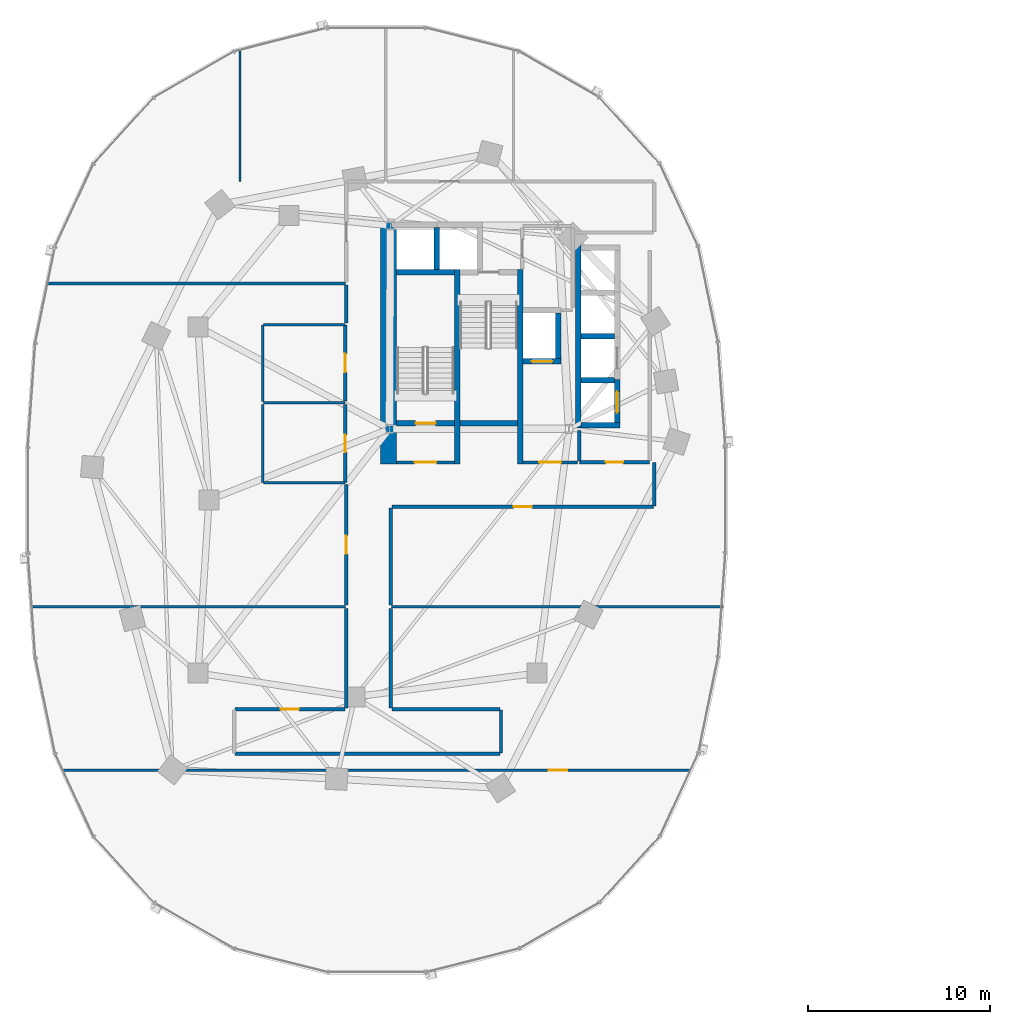
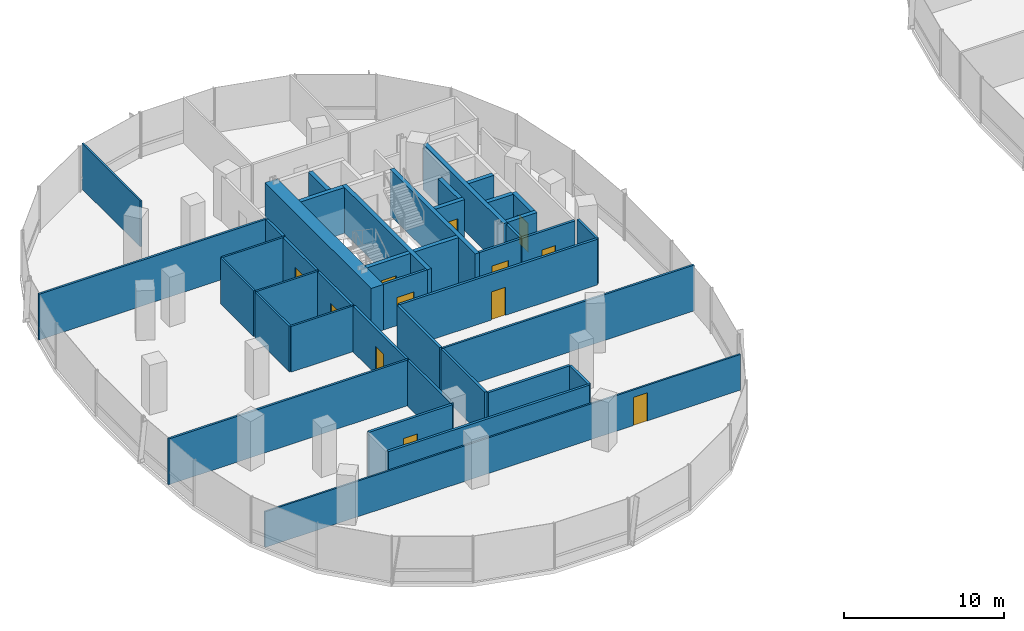
# One storey, part 11 of 21: 41 walls, 12 doors, 12 openings.
"""IFC4 building model written with IfcOpenShell, lengths in metres."""

from ifc_helpers import new_model, si_unit, direction, frame, frame_2d, origin, place, context, subcontext, project, spatial, rectangle, extrude, material, layer, layer_set, type_object, element, fill, save


model = new_model("IFC4")

# Units and contexts
model_context = context("Model", 3, precision=1e-05, world=origin(), true_north=direction((0.0, 1.0)))
body_context = subcontext(model_context, "Body", "Model", "MODEL_VIEW")
ifc_project = project(units=[si_unit("LENGTHUNIT", "METRE"), si_unit("AREAUNIT", "SQUARE_METRE"), si_unit("VOLUMEUNIT", "CUBIC_METRE"), si_unit("PLANEANGLEUNIT", "RADIAN"), si_unit("MASSUNIT", "GRAM", prefix="KILO"), si_unit("THERMODYNAMICTEMPERATUREUNIT", "KELVIN"), si_unit("POWERUNIT", "WATT")], contexts=[model_context])

# Site, building, storey
site_placement = place(None, origin())
site = spatial("IfcSite", under=ifc_project, at=site_placement, CompositionType="ELEMENT")
building_placement = place(site_placement, origin())
building = spatial("IfcBuilding", under=site, at=building_placement, Name="Cundina Bronze Exchange", CompositionType="ELEMENT")
storey_placement = place(building_placement, frame((0.0, 0.0, 62.0)))
storey = spatial("IfcBuildingStorey", under=building, at=storey_placement, Name="L15", CompositionType="ELEMENT", Elevation=62.0)

# Wall
ifc_material_1 = material(Name="Gypsum Fireboard Partition EI120")
ifc_layer_1 = layer(ifc_material_1, 0.179931640625, Name="Gypsum Fireboard Partition EI120")
ifc_layer_set_1 = layer_set([ifc_layer_1], Name="Gypsum Fireboard Partition EI120")
wall_type_1 = type_object("IfcWallType", Name="WL-COR-180", PredefinedType="PARTITIONING", material=ifc_layer_set_1)
wall_1_placement = place(storey_placement, frame((-20.889892578125, 2.14990234375, 0.0), z_axis=(0.0, 0.0, 1.0), x_axis=(0.0, 1.0, 0.0)))
element("IfcWall", 1, at=wall_1_placement, inside=storey, type_object=wall_type_1, Name="L15 W Firefighting Lobby Side Wall", PredefinedType="PARTITIONING", context=body_context, shape_type="SweptSolid", body=[
    extrude(rectangle(XDim=1.650146484375, YDim=0.179931640625, at=frame_2d((0.8251953125, 0.0))), origin(), (0.0, 0.0, 1.0), 3.5),
])

# Wall, opening, door
wall_2_placement = place(storey_placement, frame((-23.97998046875, 2.06005859375, 0.0), z_axis=(0.0, 0.0, 1.0), x_axis=(1.0, 0.0, 0.0)))
wall_2 = element("IfcWall", 2, at=wall_2_placement, inside=storey, type_object=wall_type_1, Name="L15 W Firefighting Lobby Exit Wall", PredefinedType="PARTITIONING", context=body_context, shape_type="SweptSolid", body=[
    extrude(rectangle(XDim=3.0, YDim=0.179931640625, at=frame_2d((1.5, 0.0))), origin(), (0.0, 0.0, 1.0), 3.5),
])
opening_1_placement = place(wall_2_placement, frame((0.89990234375, 0.0, 0.0)))
opening_1 = element("IfcOpeningElement", 3, at=opening_1_placement, cuts=wall_2, Name="Opening DF-01", PredefinedType="OPENING", context=body_context, shape_type="SweptSolid", body=[
    extrude(rectangle(XDim=1.199951171875, YDim=2.14990234375, at=frame_2d((0.60009765625, 1.074951171875))), frame((0.0, 0.099853515625, 0.0), z_axis=(0.0, -1.0, 0.0), x_axis=(1.0, 0.0, 0.0)), (0.0, 0.0, 1.0), 0.199951171875),
])
ifc_material_2 = material(Name="Steel ASTM A36 Painted", Category="steel")
door_type_1 = type_object("IfcDoorType", Name="DR-FFL-1200", OperationType="NOTDEFINED", PredefinedType="DOOR", material=ifc_material_2)
door_1_placement = place(opening_1_placement, origin())
door_1 = element("IfcDoor", 4, at=door_1_placement, inside=storey, type_object=door_type_1, Name="L15 W Firefighting Lobby Door", OperationType="SINGLE_SWING_RIGHT", OverallHeight=2.14990234375, OverallWidth=1.199951171875, PredefinedType="DOOR", context=body_context, shape_type="SweptSolid", body=[
    extrude(rectangle(XDim=1.199951171875, YDim=2.14990234375, at=frame_2d((0.60009765625, 1.074951171875))), frame((0.0, 0.02490234375, 0.0), z_axis=(0.0, -1.0, 0.0), x_axis=(1.0, 0.0, 0.0)), (0.0, 0.0, 1.0), 0.050048828125),
])
fill(opening_1, door_1)

wall_3_placement = place(storey_placement, frame((-30.89990234375, 2.06005859375, 0.0), z_axis=(0.0, 0.0, 1.0), x_axis=(1.0, 0.0, 0.0)))
wall_3 = element("IfcWall", 5, at=wall_3_placement, inside=storey, type_object=wall_type_1, Name="L15 W Stair Vestibule Exit Wall", PredefinedType="PARTITIONING", context=body_context, shape_type="SweptSolid", body=[
    extrude(rectangle(XDim=3.159912109375, YDim=0.179931640625, at=frame_2d((1.580078125, 0.0))), origin(), (0.0, 0.0, 1.0), 3.5),
])
opening_2_placement = place(wall_3_placement, frame((0.97998046875, 0.0, 0.0)))
opening_2 = element("IfcOpeningElement", 6, at=opening_2_placement, cuts=wall_3, Name="Opening DF-01", PredefinedType="OPENING", context=body_context, shape_type="SweptSolid", body=[
    extrude(rectangle(XDim=1.199951171875, YDim=2.14990234375, at=frame_2d((0.60009765625, 1.074951171875))), frame((0.0, 0.099853515625, 0.0), z_axis=(0.0, -1.0, 0.0), x_axis=(1.0, 0.0, 0.0)), (0.0, 0.0, 1.0), 0.199951171875),
])
door_2_placement = place(opening_2_placement, origin())
door_2 = element("IfcDoor", 7, at=door_2_placement, inside=storey, type_object=door_type_1, Name="L15 W Stair Vestibule Door", OperationType="SINGLE_SWING_LEFT", OverallHeight=2.14990234375, OverallWidth=1.199951171875, PredefinedType="DOOR", context=body_context, shape_type="SweptSolid", body=[
    extrude(rectangle(XDim=1.199951171875, YDim=2.14990234375, at=frame_2d((0.60009765625, 1.074951171875))), frame((0.0, 0.02490234375, 0.0), z_axis=(0.0, -1.0, 0.0), x_axis=(1.0, 0.0, 0.0)), (0.0, 0.0, 1.0), 0.050048828125),
])
fill(opening_2, door_2)

wall_4_placement = place(storey_placement, frame((-20.8701171875, 2.070068359375, 0.0), z_axis=(0.0, 0.0, 1.0), x_axis=(1.0, 0.0, 0.0)))
wall_4 = element("IfcWall", 8, at=wall_4_placement, inside=storey, type_object=wall_type_1, Name="L15 Interior Partition 002", PredefinedType="PARTITIONING", context=body_context, shape_type="SweptSolid", body=[
    extrude(rectangle(XDim=3.830078125, YDim=0.179931640625, at=frame_2d((1.9150390625, 0.0))), origin(), (0.0, 0.0, 1.0), 3.5),
])
opening_3_placement = place(wall_4_placement, frame((1.43994140625, 0.0, 0.0)))
opening_3 = element("IfcOpeningElement", 9, at=opening_3_placement, cuts=wall_4, Name="Opening DW-01", PredefinedType="OPENING", context=body_context, shape_type="SweptSolid", body=[
    extrude(rectangle(XDim=0.949951171875, YDim=2.10009765625, at=frame_2d((0.47509765625, 1.050048828125))), frame((0.0, 0.099853515625, 0.0), z_axis=(0.0, -1.0, 0.0), x_axis=(1.0, 0.0, 0.0)), (0.0, 0.0, 1.0), 0.199951171875),
])
ifc_material_3 = material(Name="Solid Andean Oak Timber Grade A", Category="wood")
door_type_2 = type_object("IfcDoorType", Name="DR-WC-950", OperationType="NOTDEFINED", PredefinedType="DOOR", material=ifc_material_3)
door_3_placement = place(opening_3_placement, origin())
door_3 = element("IfcDoor", 10, at=door_3_placement, inside=storey, type_object=door_type_2, Name="L15 Interior Door 002", OperationType="SINGLE_SWING_LEFT", OverallHeight=2.10009765625, OverallWidth=0.949951171875, PredefinedType="DOOR", context=body_context, shape_type="SweptSolid", body=[
    extrude(rectangle(XDim=0.949951171875, YDim=2.10009765625, at=frame_2d((0.47509765625, 1.050048828125))), frame((0.0, 0.02490234375, 0.0), z_axis=(0.0, -1.0, 0.0), x_axis=(1.0, 0.0, 0.0)), (0.0, 0.0, 1.0), 0.050048828125),
])
fill(opening_3, door_3)

wall_5_placement = place(storey_placement, frame((-33.719970703125, 0.969970703125, 0.0), z_axis=(0.0, 0.0, 1.0), x_axis=(0.0, 1.0, 0.0)))
wall_5 = element("IfcWall", 11, at=wall_5_placement, inside=storey, type_object=wall_type_1, Name="L15 Interior Partition 012", PredefinedType="PARTITIONING", context=body_context, shape_type="SweptSolid", body=[
    extrude(rectangle(XDim=4.260009765625, YDim=0.179931640625, at=frame_2d((2.1298828125, 0.0))), origin(), (0.0, 0.0, 1.0), 3.5),
])
opening_4_placement = place(wall_5_placement, frame((1.655029296875, 0.0, 0.0)))
opening_4 = element("IfcOpeningElement", 12, at=opening_4_placement, cuts=wall_5, Name="Opening DW-01", PredefinedType="OPENING", context=body_context, shape_type="SweptSolid", body=[
    extrude(rectangle(XDim=0.949951171875, YDim=2.10009765625, at=frame_2d((0.47509765625, 1.050048828125))), frame((0.0, 0.099853515625, 0.0), z_axis=(0.0, -1.0, 0.0), x_axis=(1.0, 0.0, 0.0)), (0.0, 0.0, 1.0), 0.199951171875),
])
door_4_placement = place(opening_4_placement, origin())
door_4 = element("IfcDoor", 13, at=door_4_placement, inside=storey, type_object=door_type_2, Name="L15 Interior Door 012", OperationType="SINGLE_SWING_LEFT", OverallHeight=2.10009765625, OverallWidth=0.949951171875, PredefinedType="DOOR", context=body_context, shape_type="SweptSolid", body=[
    extrude(rectangle(XDim=0.949951171875, YDim=2.10009765625, at=frame_2d((0.47509765625, 1.050048828125))), frame((0.0, 0.02490234375, 0.0), z_axis=(0.0, -1.0, 0.0), x_axis=(1.0, 0.0, 0.0)), (0.0, 0.0, 1.0), 0.050048828125),
])
fill(opening_4, door_4)

wall_6_placement = place(storey_placement, frame((-33.719970703125, 5.429931640625, 0.0), z_axis=(0.0, 0.0, 1.0), x_axis=(0.0, 1.0, 0.0)))
wall_6 = element("IfcWall", 14, at=wall_6_placement, inside=storey, type_object=wall_type_1, Name="L15 Interior Partition 013", PredefinedType="PARTITIONING", context=body_context, shape_type="SweptSolid", body=[
    extrude(rectangle(XDim=4.16015625, YDim=0.179931640625, at=frame_2d((2.080078125, 0.0))), origin(), (0.0, 0.0, 1.0), 3.5),
])
opening_5_placement = place(wall_6_placement, frame((1.580078125, 0.0, 0.0)))
opening_5 = element("IfcOpeningElement", 15, at=opening_5_placement, cuts=wall_6, Name="Opening DO-01", PredefinedType="OPENING", context=body_context, shape_type="SweptSolid", body=[
    extrude(rectangle(XDim=1.0, YDim=2.14990234375, at=frame_2d((0.5, 1.074951171875))), frame((0.0, 0.099853515625, 0.0), z_axis=(0.0, -1.0, 0.0), x_axis=(1.0, 0.0, 0.0)), (0.0, 0.0, 1.0), 0.199951171875),
])
door_type_3 = type_object("IfcDoorType", Name="DR-OFF-1000", OperationType="NOTDEFINED", PredefinedType="DOOR", material=ifc_material_3)
door_5_placement = place(opening_5_placement, origin())
door_5 = element("IfcDoor", 16, at=door_5_placement, inside=storey, type_object=door_type_3, Name="L15 Interior Door 013", OperationType="SINGLE_SWING_LEFT", OverallHeight=2.14990234375, OverallWidth=1.0, PredefinedType="DOOR", context=body_context, shape_type="SweptSolid", body=[
    extrude(rectangle(XDim=1.0, YDim=2.14990234375, at=frame_2d((0.5, 1.074951171875))), frame((0.0, 0.02490234375, 0.0), z_axis=(0.0, -1.0, 0.0), x_axis=(1.0, 0.0, 0.0)), (0.0, 0.0, 1.0), 0.050048828125),
])
fill(opening_5, door_5)

# Wall
wall_7_placement = place(storey_placement, frame((-39.778564453125, -13.919921875, 0.0), z_axis=(0.0, 0.0, 1.0), x_axis=(1.0, 0.0, 0.0)))
element("IfcWall", 17, at=wall_7_placement, inside=storey, type_object=wall_type_1, Name="L15 Interior Partition 020", PredefinedType="PARTITIONING", context=body_context, shape_type="SweptSolid", body=[
    extrude(rectangle(XDim=14.55712890625, YDim=0.179931640625, at=frame_2d((7.278564453125, 0.0))), origin(), (0.0, 0.0, 1.0), 3.5),
])

# Wall, opening, door
wall_8_placement = place(storey_placement, frame((-33.75, -11.47998046875, 0.0), z_axis=(0.0, 0.0, 1.0), x_axis=(-1.0, 0.0, 0.0)))
wall_8 = element("IfcWall", 18, at=wall_8_placement, inside=storey, type_object=wall_type_1, Name="L15 Interior Partition 021", PredefinedType="PARTITIONING", context=body_context, shape_type="SweptSolid", body=[
    extrude(rectangle(XDim=6.028564453125, YDim=0.179931640625, at=frame_2d((3.01416015625, 0.0))), origin(), (0.0, 0.0, 1.0), 3.5),
])
opening_6_placement = place(wall_8_placement, frame((2.514404296875, 0.0, 0.0)))
opening_6 = element("IfcOpeningElement", 19, at=opening_6_placement, cuts=wall_8, Name="Opening DO-01", PredefinedType="OPENING", context=body_context, shape_type="SweptSolid", body=[
    extrude(rectangle(XDim=1.0, YDim=2.14990234375, at=frame_2d((0.5, 1.074951171875))), frame((0.0, 0.099853515625, 0.0), z_axis=(0.0, -1.0, 0.0), x_axis=(1.0, 0.0, 0.0)), (0.0, 0.0, 1.0), 0.199951171875),
])
door_6_placement = place(opening_6_placement, origin())
door_6 = element("IfcDoor", 20, at=door_6_placement, inside=storey, type_object=door_type_3, Name="L15 Interior Door 021", OperationType="SINGLE_SWING_RIGHT", OverallHeight=2.14990234375, OverallWidth=1.0, PredefinedType="DOOR", context=body_context, shape_type="SweptSolid", body=[
    extrude(rectangle(XDim=1.0, YDim=2.14990234375, at=frame_2d((0.5, 1.074951171875))), frame((0.0, 0.02490234375, 0.0), z_axis=(0.0, -1.0, 0.0), x_axis=(1.0, 0.0, 0.0)), (0.0, 0.0, 1.0), 0.050048828125),
])
fill(opening_6, door_6)

# Walls
wall_9_placement = place(storey_placement, frame((-25.221435546875, -11.47998046875, 0.0), z_axis=(0.0, 0.0, 1.0), x_axis=(-1.0, 0.0, 0.0)))
element("IfcWall", 21, at=wall_9_placement, inside=storey, type_object=wall_type_1, Name="L15 Interior Partition 022", PredefinedType="PARTITIONING", context=body_context, shape_type="SweptSolid", body=[
    extrude(rectangle(XDim=5.928466796875, YDim=0.179931640625, at=frame_2d((2.96435546875, 0.0))), origin(), (0.0, 0.0, 1.0), 3.5),
])
for number, where, z_axis, x_axis, name in (
    (22, (-33.669921875, -5.949951171875, 0.0), (0.0, 0.0, 1.0), (0.0, -1.0, 0.0), "L15 Interior Partition 023"),
    (23, (-31.22998046875, -11.39990234375, 0.0), (0.0, 0.0, 1.0), (0.0, 1.0, 0.0), "L15 Interior Partition 024"),
):
    element("IfcWall", number, at=place(storey_placement, frame(where, z_axis=z_axis, x_axis=x_axis)), inside=storey, type_object=wall_type_1, Name=name, PredefinedType="PARTITIONING", context=body_context, shape_type="SweptSolid", body=[
        extrude(rectangle(XDim=5.449951171875, YDim=0.179931640625, at=frame_2d((2.72509765625, 0.0))), origin(), (0.0, 0.0, 1.0), 3.5),
    ])
wall_10_placement = place(storey_placement, frame((-25.179931640625, -13.87841796875, 0.0), z_axis=(0.0, 0.0, 1.0), x_axis=(0.0, 1.0, 0.0)))
element("IfcWall", 24, at=wall_10_placement, inside=storey, type_object=wall_type_1, Name="L15 Interior Partition 026", PredefinedType="PARTITIONING", context=body_context, shape_type="SweptSolid", body=[
    extrude(rectangle(XDim=2.35693359375, YDim=0.179931640625, at=frame_2d((1.178466796875, 0.0))), origin(), (0.0, 0.0, 1.0), 3.5),
])

# Wall, opening, door
wall_11_placement = place(storey_placement, frame((-33.669921875, 0.858642578125, 0.0), z_axis=(0.0, 0.0, 1.0), x_axis=(0.0, -1.0, 0.0)))
wall_11 = element("IfcWall", 25, at=wall_11_placement, inside=storey, type_object=wall_type_1, Name="L15 Interior Partition 027", PredefinedType="PARTITIONING", context=body_context, shape_type="SweptSolid", body=[
    extrude(rectangle(XDim=6.628662109375, YDim=0.179931640625, at=frame_2d((3.314453125, 0.0))), origin(), (0.0, 0.0, 1.0), 3.5),
])
opening_7_placement = place(wall_11_placement, frame((2.814208984375, 0.0, 0.0)))
opening_7 = element("IfcOpeningElement", 26, at=opening_7_placement, cuts=wall_11, Name="Opening DO-01", PredefinedType="OPENING", context=body_context, shape_type="SweptSolid", body=[
    extrude(rectangle(XDim=1.0, YDim=2.14990234375, at=frame_2d((0.5, 1.074951171875))), frame((0.0, 0.099853515625, 0.0), z_axis=(0.0, -1.0, 0.0), x_axis=(1.0, 0.0, 0.0)), (0.0, 0.0, 1.0), 0.199951171875),
])
door_7_placement = place(opening_7_placement, origin())
door_7 = element("IfcDoor", 27, at=door_7_placement, inside=storey, type_object=door_type_3, Name="L15 Interior Door 027", OperationType="SINGLE_SWING_LEFT", OverallHeight=2.14990234375, OverallWidth=1.0, PredefinedType="DOOR", context=body_context, shape_type="SweptSolid", body=[
    extrude(rectangle(XDim=1.0, YDim=2.14990234375, at=frame_2d((0.5, 1.074951171875))), frame((0.0, 0.02490234375, 0.0), z_axis=(0.0, -1.0, 0.0), x_axis=(1.0, 0.0, 0.0)), (0.0, 0.0, 1.0), 0.050048828125),
])
fill(opening_7, door_7)

# Wall
wall_12_placement = place(storey_placement, frame((-33.669921875, 11.7900390625, 0.0), z_axis=(0.0, 0.0, 1.0), x_axis=(0.0, -1.0, 0.0)))
element("IfcWall", 28, at=wall_12_placement, inside=storey, type_object=wall_type_1, Name="L15 Interior Partition 028", PredefinedType="PARTITIONING", context=body_context, shape_type="SweptSolid", body=[
    extrude(rectangle(XDim=2.088623046875, YDim=0.179931640625, at=frame_2d((1.04443359375, 0.0))), origin(), (0.0, 0.0, 1.0), 3.5),
])

# Wall, opening, door
wall_13_placement = place(storey_placement, frame((-31.14990234375, -0.3701171875, 0.0), z_axis=(0.0, 0.0, 1.0), x_axis=(1.0, 0.0, 0.0)))
wall_13 = element("IfcWall", 29, at=wall_13_placement, inside=storey, type_object=wall_type_1, Name="L15 Interior Partition 029", PredefinedType="PARTITIONING", context=body_context, shape_type="SweptSolid", body=[
    extrude(rectangle(XDim=14.328369140625, YDim=0.179931640625, at=frame_2d((7.1640625, 0.0))), origin(), (0.0, 0.0, 1.0), 3.5),
])
opening_8_placement = place(wall_13_placement, frame((6.664306640625, 0.0, 0.0)))
opening_8 = element("IfcOpeningElement", 30, at=opening_8_placement, cuts=wall_13, Name="Opening DO-01", PredefinedType="OPENING", context=body_context, shape_type="SweptSolid", body=[
    extrude(rectangle(XDim=1.0, YDim=2.14990234375, at=frame_2d((0.5, 1.074951171875))), frame((0.0, 0.099853515625, 0.0), z_axis=(0.0, -1.0, 0.0), x_axis=(1.0, 0.0, 0.0)), (0.0, 0.0, 1.0), 0.199951171875),
])
door_8_placement = place(opening_8_placement, origin())
door_8 = element("IfcDoor", 31, at=door_8_placement, inside=storey, type_object=door_type_3, Name="L15 Interior Door 029", OperationType="SINGLE_SWING_LEFT", OverallHeight=2.14990234375, OverallWidth=1.0, PredefinedType="DOOR", context=body_context, shape_type="SweptSolid", body=[
    extrude(rectangle(XDim=1.0, YDim=2.14990234375, at=frame_2d((0.5, 1.074951171875))), frame((0.0, 0.02490234375, 0.0), z_axis=(0.0, -1.0, 0.0), x_axis=(1.0, 0.0, 0.0)), (0.0, 0.0, 1.0), 0.050048828125),
])
fill(opening_8, door_8)

# Walls
wall_14_placement = place(storey_placement, frame((-31.22998046875, -5.77001953125, 0.0), z_axis=(0.0, 0.0, 1.0), x_axis=(0.0, 1.0, 0.0)))
element("IfcWall", 32, at=wall_14_placement, inside=storey, type_object=wall_type_1, Name="L15 Interior Partition 031", PredefinedType="PARTITIONING", context=body_context, shape_type="SweptSolid", body=[
    extrude(rectangle(XDim=5.320068359375, YDim=0.179931640625, at=frame_2d((2.66015625, 0.0))), origin(), (0.0, 0.0, 1.0), 3.5),
])
wall_15_placement = place(storey_placement, frame((-16.780029296875, -0.32861328125, 0.0), z_axis=(0.0, 0.0, 1.0), x_axis=(0.0, 1.0, 0.0)))
element("IfcWall", 33, at=wall_15_placement, inside=storey, type_object=wall_type_1, Name="L15 Interior Partition 034", PredefinedType="PARTITIONING", context=body_context, shape_type="SweptSolid", body=[
    extrude(rectangle(XDim=2.38720703125, YDim=0.179931640625, at=frame_2d((1.193603515625, 0.0))), origin(), (0.0, 0.0, 1.0), 3.5),
])
ifc_material_4 = material(Name="Concrete C60/75", Category="concrete")
ifc_layer_2 = layer(ifc_material_4, 0.89990234375, Name="Concrete C60/75", Category="concrete")
ifc_layer_set_2 = layer_set([ifc_layer_2], Name="Concrete C60/75")
wall_type_2 = type_object("IfcWallType", Name="WL-CORE-900", PredefinedType="SHEAR", material=ifc_layer_set_2)
wall_16_placement = place(storey_placement, frame((-31.35009765625, 1.969970703125, 0.0), z_axis=(0.0, 0.0, 1.0), x_axis=(0.0, 1.0, 0.0)))
element("IfcWall", 34, at=wall_16_placement, inside=storey, type_object=wall_type_2, Name="L15 W Primary Core Shear Spine Wall", PredefinedType="SHEAR", context=body_context, shape_type="SweptSolid", body=[
    extrude(rectangle(XDim=13.330078125, YDim=0.89990234375, at=frame_2d((6.6650390625, 0.0))), origin(), (0.0, 0.0, 1.0), 3.5),
])
ifc_material_5 = material(Name="Gypsum Acoustic Partition EI60")
ifc_layer_3 = layer(ifc_material_5, 0.125, Name="Gypsum Acoustic Partition EI60")
ifc_layer_set_3 = layer_set([ifc_layer_3], Name="Gypsum Acoustic Partition EI60")
wall_type_3 = type_object("IfcWallType", Name="WL-OFF-125", PredefinedType="PARTITIONING", material=ifc_layer_set_3)
wall_17_placement = place(storey_placement, frame((-39.5, 17.469970703125, 0.0), z_axis=(0.0, 0.0, 1.0), x_axis=(0.0, 1.0, 0.0)))
element("IfcWall", 35, at=wall_17_placement, inside=storey, type_object=wall_type_3, Name="L15 Interior Partition 017", PredefinedType="PARTITIONING", context=body_context, shape_type="SweptSolid", body=[
    extrude(rectangle(XDim=7.30224609375, YDim=0.125, at=frame_2d((3.651123046875, 0.0))), origin(), (0.0, 0.0, 1.0), 3.5),
])

# Wall, opening, door
wall_18_placement = place(storey_placement, frame((-49.1953125, -14.820068359375, 0.0), z_axis=(0.0, 0.0, 1.0), x_axis=(1.0, 0.0, 0.0)))
wall_18 = element("IfcWall", 36, at=wall_18_placement, inside=storey, type_object=wall_type_3, Name="L15 Interior Partition 038", PredefinedType="PARTITIONING", context=body_context, shape_type="SweptSolid", body=[
    extrude(rectangle(XDim=34.390625, YDim=0.125, at=frame_2d((17.1953125, 0.0))), origin(), (0.0, 0.0, 1.0), 2.72705078125),
])
opening_9_placement = place(wall_18_placement, frame((26.640625, 0.0, 0.0)))
opening_9 = element("IfcOpeningElement", 37, at=opening_9_placement, cuts=wall_18, Name="Opening DO-01", PredefinedType="OPENING", context=body_context, shape_type="SweptSolid", body=[
    extrude(rectangle(XDim=1.0, YDim=2.14990234375, at=frame_2d((0.5, 1.074951171875))), frame((0.0, 0.072509765625, 0.0), z_axis=(0.0, -1.0, 0.0), x_axis=(1.0, 0.0, 0.0)), (0.0, 0.0, 1.0), 0.14501953125),
])
door_9_placement = place(opening_9_placement, origin())
door_9 = element("IfcDoor", 38, at=door_9_placement, inside=storey, type_object=door_type_3, Name="L15 Interior Door 038", OperationType="SINGLE_SWING_LEFT", OverallHeight=2.14990234375, OverallWidth=1.0, PredefinedType="DOOR", context=body_context, shape_type="SweptSolid", body=[
    extrude(rectangle(XDim=1.0, YDim=2.14990234375, at=frame_2d((0.5, 1.074951171875))), frame((0.0, 0.02490234375, 0.0), z_axis=(0.0, -1.0, 0.0), x_axis=(1.0, 0.0, 0.0)), (0.0, 0.0, 1.0), 0.050048828125),
])
fill(opening_9, door_9)

# Walls
ifc_material_6 = material(Name="Concrete C50/60", Category="concrete")
ifc_layer_4 = layer(ifc_material_6, 0.300048828125, Name="Concrete C50/60", Category="concrete")
ifc_layer_set_4 = layer_set([ifc_layer_4], Name="Concrete C50/60")
wall_type_4 = type_object("IfcWallType", Name="WL-SHFT-300", PredefinedType="SHEAR", material=ifc_layer_set_4)
for number, where, z_axis, x_axis, name in (
    (39, (-27.590087890625, 1.969970703125, 0.0), (0.0, 0.0, 1.0), (0.0, 1.0, 0.0), "L15 W Stair Shaft Dividing Shear Wall"),
    (40, (-24.1298828125, 1.969970703125, 0.0), (0.0, 0.0, 1.0), (0.0, 1.0, 0.0), "L15 W Stair 2 East Shear Wall"),
):
    element("IfcWall", number, at=place(storey_placement, frame(where, z_axis=z_axis, x_axis=x_axis)), inside=storey, type_object=wall_type_4, Name=name, PredefinedType="SHEAR", context=body_context, shape_type="SweptSolid", body=[
        extrude(rectangle(XDim=10.679931640625, YDim=0.300048828125, at=frame_2d((5.33984375, 0.0))), origin(), (0.0, 0.0, 1.0), 3.5),
    ])

# Wall, opening, door
wall_19_placement = place(storey_placement, frame((-30.89990234375, 4.199951171875, 0.0), z_axis=(0.0, 0.0, 1.0), x_axis=(1.0, 0.0, 0.0)))
wall_19 = element("IfcWall", 41, at=wall_19_placement, inside=storey, type_object=wall_type_4, Name="L15 Stair W1 Landing Wall", PredefinedType="SHEAR", context=body_context, shape_type="SweptSolid", body=[
    extrude(rectangle(XDim=3.159912109375, YDim=0.300048828125, at=frame_2d((1.580078125, 0.0))), origin(), (0.0, 0.0, 1.0), 3.5),
])
opening_10_placement = place(wall_19_placement, frame((1.030029296875, 0.0, 0.0)))
opening_10 = element("IfcOpeningElement", 42, at=opening_10_placement, cuts=wall_19, Name="Opening DS-01", PredefinedType="OPENING", context=body_context, shape_type="SweptSolid", body=[
    extrude(rectangle(XDim=1.10009765625, YDim=2.14990234375, at=frame_2d((0.550048828125, 1.074951171875))), frame((0.0, 0.159912109375, 0.0), z_axis=(0.0, -1.0, 0.0), x_axis=(1.0, 0.0, 0.0)), (0.0, 0.0, 1.0), 0.320068359375),
])
door_type_4 = type_object("IfcDoorType", Name="DR-STR-1100", OperationType="NOTDEFINED", PredefinedType="DOOR", material=ifc_material_2)
door_10_placement = place(opening_10_placement, origin())
door_10 = element("IfcDoor", 43, at=door_10_placement, inside=storey, type_object=door_type_4, Name="L15 Smokeproof Stair W1 Door", OperationType="SINGLE_SWING_RIGHT", OverallHeight=2.14990234375, OverallWidth=1.10009765625, PredefinedType="DOOR", context=body_context, shape_type="SweptSolid", body=[
    extrude(rectangle(XDim=1.10009765625, YDim=2.14990234375, at=frame_2d((0.550048828125, 1.074951171875))), frame((0.0, 0.02490234375, 0.0), z_axis=(0.0, -1.0, 0.0), x_axis=(1.0, 0.0, 0.0)), (0.0, 0.0, 1.0), 0.050048828125),
])
fill(opening_10, door_10)

# Walls
for number, where, z_axis, x_axis, name in (
    (44, (-30.89990234375, 12.5, 0.0), (0.0, 0.0, 1.0), (1.0, 0.0, 0.0), "L15 Stair W1 Far Shaft Wall"),
    (45, (-27.43994140625, 4.199951171875, 0.0), (0.0, 0.0, 1.0), (1.0, 0.0, 0.0), "L15 Stair W2 Far Shaft Wall"),
):
    element("IfcWall", number, at=place(storey_placement, frame(where, z_axis=z_axis, x_axis=x_axis)), inside=storey, type_object=wall_type_4, Name=name, PredefinedType="SHEAR", context=body_context, shape_type="SweptSolid", body=[
        extrude(rectangle(XDim=3.159912109375, YDim=0.300048828125, at=frame_2d((1.580078125, 0.0))), origin(), (0.0, 0.0, 1.0), 3.5),
    ])

# Wall, opening, door
wall_20_placement = place(storey_placement, frame((-23.97998046875, 7.60009765625, 0.0), z_axis=(0.0, 0.0, 1.0), x_axis=(1.0, 0.0, 0.0)))
wall_20 = element("IfcWall", 46, at=wall_20_placement, inside=storey, type_object=wall_type_4, Name="L15 FFL-W Hoistway Front Wall", PredefinedType="SHEAR", context=body_context, shape_type="SweptSolid", body=[
    extrude(rectangle(XDim=2.10009765625, YDim=0.300048828125, at=frame_2d((1.050048828125, 0.0))), origin(), (0.0, 0.0, 1.0), 3.5),
])
opening_11_placement = place(wall_20_placement, frame((0.47509765625, 0.0, 0.0)))
opening_11 = element("IfcOpeningElement", 47, at=opening_11_placement, cuts=wall_20, Name="Opening LD-01", PredefinedType="OPENING", context=body_context, shape_type="SweptSolid", body=[
    extrude(rectangle(XDim=1.14990234375, YDim=2.199951171875, at=frame_2d((0.574951171875, 1.10009765625))), frame((0.0, 0.159912109375, 0.0), z_axis=(0.0, -1.0, 0.0), x_axis=(1.0, 0.0, 0.0)), (0.0, 0.0, 1.0), 0.320068359375),
])
door_type_5 = type_object("IfcDoorType", Name="DR-LND-1150", OperationType="NOTDEFINED", PredefinedType="TRAPDOOR", material=ifc_material_2)
door_11_placement = place(opening_11_placement, origin())
door_11 = element("IfcDoor", 48, at=door_11_placement, inside=storey, type_object=door_type_5, Name="L15 FFL-W Sliding Landing Door", OperationType="SLIDING_TO_LEFT", OverallHeight=2.199951171875, OverallWidth=1.14990234375, PredefinedType="TRAPDOOR", context=body_context, shape_type="SweptSolid", body=[
    extrude(rectangle(XDim=1.14990234375, YDim=2.199951171875, at=frame_2d((0.574951171875, 1.10009765625))), frame((0.0, 0.02490234375, 0.0), z_axis=(0.0, -1.0, 0.0), x_axis=(1.0, 0.0, 0.0)), (0.0, 0.0, 1.0), 0.050048828125),
])
fill(opening_11, door_11)

# Walls
wall_21_placement = place(storey_placement, frame((-22.030029296875, 7.75, 0.0), z_axis=(0.0, 0.0, 1.0), x_axis=(0.0, 1.0, 0.0)))
element("IfcWall", 49, at=wall_21_placement, inside=storey, type_object=wall_type_4, Name="L15 FFL-W Hoistway Side Wall", PredefinedType="SHEAR", context=body_context, shape_type="SweptSolid", body=[
    extrude(rectangle(XDim=2.5, YDim=0.300048828125, at=frame_2d((1.25, 0.0))), origin(), (0.0, 0.0, 1.0), 3.5),
])
wall_22_placement = place(storey_placement, frame((-28.699951171875, 12.64990234375, 0.0), z_axis=(0.0, 0.0, 1.0), x_axis=(0.0, 1.0, 0.0)))
element("IfcWall", 50, at=wall_22_placement, inside=storey, type_object=wall_type_4, Name="L15 PH-W1 Hoistway Divider Wall", PredefinedType="SHEAR", context=body_context, shape_type="SweptSolid", body=[
    extrude(rectangle(XDim=2.300048828125, YDim=0.300048828125, at=frame_2d((1.14990234375, 0.0))), origin(), (0.0, 0.0, 1.0), 3.5),
])
wall_23_placement = place(storey_placement, frame((-20.949951171875, 3.949951171875, 0.0), z_axis=(0.0, 0.0, 1.0), x_axis=(0.0, 1.0, 0.0)))
element("IfcWall", 51, at=wall_23_placement, inside=storey, type_object=wall_type_4, Name="L15 W Passenger Bank Hoistway Back Wall", PredefinedType="SHEAR", context=body_context, shape_type="SweptSolid", body=[
    extrude(rectangle(XDim=10.050048828125, YDim=0.300048828125, at=frame_2d((5.02490234375, 0.0))), origin(), (0.0, 0.0, 1.0), 3.5),
])
wall_24_placement = place(storey_placement, frame((-20.800048828125, 4.10009765625, 0.0), z_axis=(0.0, 0.0, 1.0), x_axis=(1.0, 0.0, 0.0)))
element("IfcWall", 52, at=wall_24_placement, inside=storey, type_object=wall_type_4, Name="L15 W Passenger Bank South Cap Wall", PredefinedType="SHEAR", context=body_context, shape_type="SweptSolid", body=[
    extrude(rectangle(XDim=2.150146484375, YDim=0.300048828125, at=frame_2d((1.0751953125, 0.0))), origin(), (0.0, 0.0, 1.0), 3.5),
])
for number, where, z_axis, x_axis, name in (
    (53, (-20.800048828125, 6.574951171875, 0.0), (0.0, 0.0, 1.0), (1.0, 0.0, 0.0), "L15 W Passenger Hoistway Divider 1"),
    (54, (-20.800048828125, 8.97509765625, 0.0), (0.0, 0.0, 1.0), (1.0, 0.0, 0.0), "L15 W Passenger Hoistway Divider 2"),
):
    element("IfcWall", number, at=place(storey_placement, frame(where, z_axis=z_axis, x_axis=x_axis)), inside=storey, type_object=wall_type_4, Name=name, PredefinedType="SHEAR", context=body_context, shape_type="SweptSolid", body=[
        extrude(rectangle(XDim=1.85009765625, YDim=0.300048828125, at=frame_2d((0.925048828125, 0.0))), origin(), (0.0, 0.0, 1.0), 3.5),
    ])

# Wall, opening, door
wall_25_placement = place(storey_placement, frame((-18.800048828125, 4.1298828125, 0.0), z_axis=(0.0, 0.0, 1.0), x_axis=(0.0, 1.0, 0.0)))
wall_25 = element("IfcWall", 55, at=wall_25_placement, inside=storey, type_object=wall_type_4, Name="L15 PL-W2 Hoistway Front Wall", PredefinedType="SHEAR", context=body_context, shape_type="SweptSolid", body=[
    extrude(rectangle(XDim=2.490234375, YDim=0.300048828125, at=frame_2d((1.2451171875, 0.0))), origin(), (0.0, 0.0, 1.0), 3.5),
])
opening_12_placement = place(wall_25_placement, frame((0.669921875, 0.0, 0.0)))
opening_12 = element("IfcOpeningElement", 56, at=opening_12_placement, cuts=wall_25, Name="Opening LD-01", PredefinedType="OPENING", context=body_context, shape_type="SweptSolid", body=[
    extrude(rectangle(XDim=1.14990234375, YDim=2.199951171875, at=frame_2d((0.574951171875, 1.10009765625))), frame((0.0, 0.159912109375, 0.0), z_axis=(0.0, -1.0, 0.0), x_axis=(1.0, 0.0, 0.0)), (0.0, 0.0, 1.0), 0.320068359375),
])
door_12_placement = place(opening_12_placement, origin())
door_12 = element("IfcDoor", 57, at=door_12_placement, inside=storey, type_object=door_type_5, Name="L15 PL-W2 Sliding Landing Door", OperationType="SLIDING_TO_LEFT", OverallHeight=2.199951171875, OverallWidth=1.14990234375, PredefinedType="TRAPDOOR", context=body_context, shape_type="SweptSolid", body=[
    extrude(rectangle(XDim=1.14990234375, YDim=2.199951171875, at=frame_2d((0.574951171875, 1.10009765625))), frame((0.0, 0.02490234375, 0.0), z_axis=(0.0, -1.0, 0.0), x_axis=(1.0, 0.0, 0.0)), (0.0, 0.0, 1.0), 0.050048828125),
])
fill(opening_12, door_12)

# Walls
ifc_layer_5 = layer(ifc_material_5, 0.14990234375, Name="Gypsum Acoustic Partition EI60")
ifc_layer_set_5 = layer_set([ifc_layer_5], Name="Gypsum Acoustic Partition EI60")
wall_type_5 = type_object("IfcWallType", Name="WL-TEN-150", PredefinedType="PARTITIONING", material=ifc_layer_set_5)
wall_26_placement = place(storey_placement, frame((-51.001708984375, -5.860107421875, 0.0), z_axis=(0.0, 0.0, 1.0), x_axis=(1.0, 0.0, 0.0)))
element("IfcWall", 58, at=wall_26_placement, inside=storey, type_object=wall_type_5, Name="L15 Interior Partition 014", PredefinedType="PARTITIONING", context=body_context, shape_type="SweptSolid", body=[
    extrude(rectangle(XDim=17.3017578125, YDim=0.14990234375, at=frame_2d((8.65087890625, 0.0))), origin(), (0.0, 0.0, 1.0), 3.5),
])
wall_27_placement = place(storey_placement, frame((-31.199951171875, -5.860107421875, 0.0), z_axis=(0.0, 0.0, 1.0), x_axis=(1.0, 0.0, 0.0)))
element("IfcWall", 59, at=wall_27_placement, inside=storey, type_object=wall_type_5, Name="L15 Interior Partition 015", PredefinedType="PARTITIONING", context=body_context, shape_type="SweptSolid", body=[
    extrude(rectangle(XDim=18.20166015625, YDim=0.14990234375, at=frame_2d((9.100830078125, 0.0))), origin(), (0.0, 0.0, 1.0), 3.5),
])
wall_28_placement = place(storey_placement, frame((-50.140869140625, 11.8798828125, 0.0), z_axis=(0.0, 0.0, 1.0), x_axis=(1.0, 0.0, 0.0)))
element("IfcWall", 60, at=wall_28_placement, inside=storey, type_object=wall_type_5, Name="L15 Interior Partition 016", PredefinedType="PARTITIONING", context=body_context, shape_type="SweptSolid", body=[
    extrude(rectangle(XDim=16.44091796875, YDim=0.14990234375, at=frame_2d((8.220458984375, 0.0))), origin(), (0.0, 0.0, 1.0), 3.5),
])
ifc_material_7 = material(Name="Moisture-Resistant Masonry Block Grade M15", Category="masonry")
ifc_layer_6 = layer(ifc_material_7, 0.139892578125, Name="Moisture-Resistant Masonry Block Grade M15", Category="masonry")
ifc_layer_set_6 = layer_set([ifc_layer_6], Name="Moisture-Resistant Masonry Block Grade M15")
wall_type_6 = type_object("IfcWallType", Name="WL-WET-140", PredefinedType="PARTITIONING", material=ifc_layer_set_6)
wall_29_placement = place(storey_placement, frame((-38.239990234375, 0.969970703125, 0.0), z_axis=(0.0, 0.0, 1.0), x_axis=(0.0, 1.0, 0.0)))
element("IfcWall", 61, at=wall_29_placement, inside=storey, type_object=wall_type_6, Name="L15 Interior Partition 007", PredefinedType="PARTITIONING", context=body_context, shape_type="SweptSolid", body=[
    extrude(rectangle(XDim=4.275146484375, YDim=0.139892578125, at=frame_2d((2.1376953125, 0.0))), origin(), (0.0, 0.0, 1.0), 3.5),
])
wall_30_placement = place(storey_placement, frame((-38.239990234375, 5.4150390625, 0.0), z_axis=(0.0, 0.0, 1.0), x_axis=(0.0, 1.0, 0.0)))
element("IfcWall", 62, at=wall_30_placement, inside=storey, type_object=wall_type_6, Name="L15 Interior Partition 008", PredefinedType="PARTITIONING", context=body_context, shape_type="SweptSolid", body=[
    extrude(rectangle(XDim=4.175048828125, YDim=0.139892578125, at=frame_2d((2.08740234375, 0.0))), origin(), (0.0, 0.0, 1.0), 3.5),
])
for number, where, z_axis, x_axis, name in (
    (63, (-38.219970703125, 0.949951171875, 0.0), (0.0, 0.0, 1.0), (1.0, 0.0, 0.0), "L15 Interior Partition 009"),
    (64, (-38.219970703125, 5.330078125, 0.0), (0.0, 0.0, 1.0), (1.0, 0.0, 0.0), "L15 Interior Partition 010"),
    (65, (-38.219970703125, 9.610107421875, 0.0), (0.0, 0.0, 1.0), (1.0, 0.0, 0.0), "L15 Interior Partition 011"),
):
    element("IfcWall", number, at=place(storey_placement, frame(where, z_axis=z_axis, x_axis=x_axis)), inside=storey, type_object=wall_type_6, Name=name, PredefinedType="PARTITIONING", context=body_context, shape_type="SweptSolid", body=[
        extrude(rectangle(XDim=4.47998046875, YDim=0.139892578125, at=frame_2d((2.239990234375, 0.0))), origin(), (0.0, 0.0, 1.0), 3.5),
    ])

save(model, "model.ifc")
